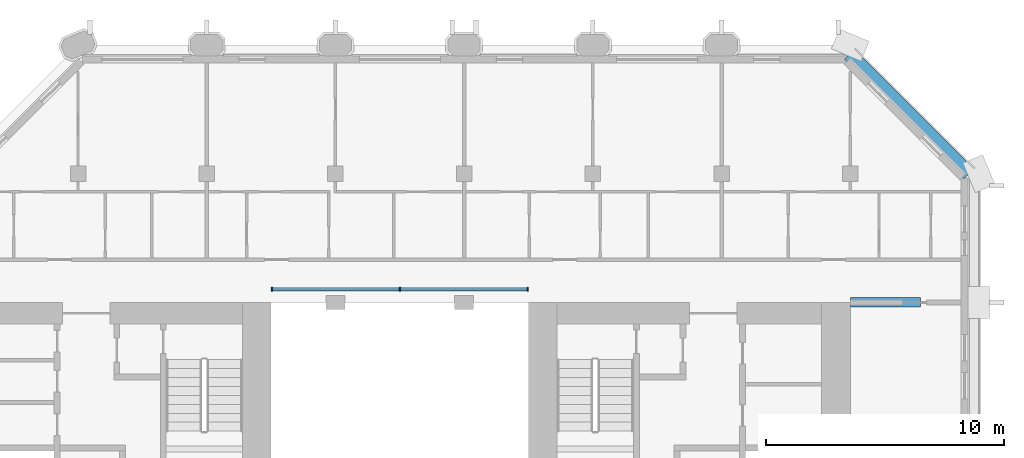
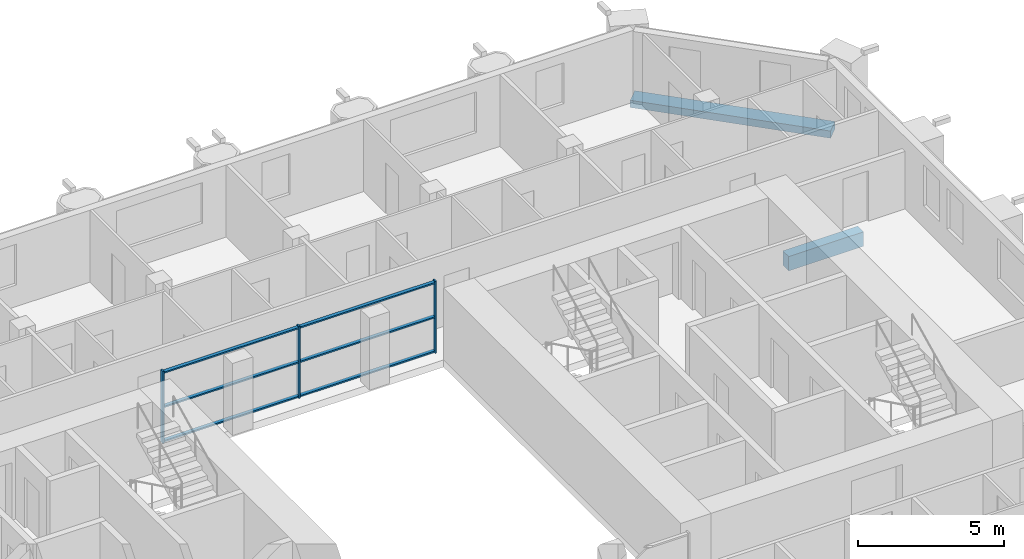
# One storey, part 4 of 14: 9 members, 2 beams, 1 element without a shape of its own.
"""IFC4 building model written with IfcOpenShell, lengths in metres."""

from ifc_helpers import new_model, si_unit, direction, frame, origin, origin_2d, place, context, subcontext, project, spatial, rectangle, extrude, material, material_profile, profile_set, type_object, element, aggregate, save


model = new_model("IFC4")

# Units and contexts
model_context = context("Model", 3, precision=1e-05, world=origin(), true_north=direction((0.0, 1.0)))
body_context = subcontext(model_context, "Body", "Model", "MODEL_VIEW")
ifc_project = project(units=[si_unit("LENGTHUNIT", "METRE"), si_unit("AREAUNIT", "SQUARE_METRE"), si_unit("VOLUMEUNIT", "CUBIC_METRE"), si_unit("PLANEANGLEUNIT", "RADIAN"), si_unit("MASSUNIT", "GRAM", prefix="KILO")], contexts=[model_context])

# Site, building, storey
site_placement = place(None, origin())
site = spatial("IfcSite", under=ifc_project, at=site_placement, CompositionType="ELEMENT")
building_placement = place(site_placement, origin())
building = spatial("IfcBuilding", under=site, at=building_placement, Name="Tabaq Tower and Sports Hall", CompositionType="ELEMENT")
storey_placement = place(building_placement, frame((0.0, 0.0, 275.199951171875)))
storey = spatial("IfcBuildingStorey", under=building, at=storey_placement, Name="L67", CompositionType="ELEMENT", Elevation=275.199951171875)

# Curtain wall, members
ifc_material_1 = material(Name="Aluminium alloy 6063-T6 framed glazing", Category="aluminium")
curtain_wall_type = type_object("IfcCurtainWallType", Name="CW1 curtain wall", PredefinedType="USERDEFINED", material=ifc_material_1)
curtain_wall_placement = place(storey_placement, origin())
curtain_wall = element("IfcCurtainWall", 1, at=curtain_wall_placement, inside=storey, type_object=curtain_wall_type, Name="Atrium glazing L67 N", ObjectType="ATRIUM ENCLOSURE", PredefinedType="USERDEFINED")
ifc_material_2 = material(Name="Aluminium alloy 6063-T6", Category="aluminium")
ifc_material_profile_1 = material_profile(ifc_material_2, rectangle(XDim=0.159912109375, YDim=0.06005859375, at=origin_2d()), Name="MULLION 160x60")
ifc_profile_set_1 = profile_set([ifc_material_profile_1], Name="Aluminium alloy 6063-T6")
member_type_1 = type_object("IfcMemberType", Name="CW1 mullion 160x60", PredefinedType="MULLION", material=ifc_profile_set_1)
member_1_placement = place(storey_placement, frame((18.929931640625, 32.949951171875, 0.0), z_axis=(0.0, 0.0, 1.0), x_axis=(0.0, 1.0, 0.0)))
member_1 = element("IfcMember", 2, at=member_1_placement, type_object=member_type_1, Name="CW1 mullion 1", PredefinedType="MULLION", context=body_context, shape_type="SweptSolid", body=[
    extrude(rectangle(XDim=0.159912109375, YDim=0.06005859375, at=origin_2d()), origin(), (0.0, 0.0, 1.0), 3.0),
])
member_2_placement = place(storey_placement, frame((24.300048828125, 32.949951171875, 0.0), z_axis=(0.0, 0.0, 1.0), x_axis=(0.0, 1.0, 0.0)))
member_2 = element("IfcMember", 3, at=member_2_placement, type_object=member_type_1, Name="CW1 mullion 2", PredefinedType="MULLION", context=body_context, shape_type="SweptSolid", body=[
    extrude(rectangle(XDim=0.159912109375, YDim=0.06005859375, at=origin_2d()), origin(), (0.0, 0.0, 1.0), 3.0),
])
member_3_placement = place(storey_placement, frame((29.669921875, 32.949951171875, 0.0), z_axis=(0.0, 0.0, 1.0), x_axis=(0.0, 1.0, 0.0)))
member_3 = element("IfcMember", 4, at=member_3_placement, type_object=member_type_1, Name="CW1 mullion 3", PredefinedType="MULLION", context=body_context, shape_type="SweptSolid", body=[
    extrude(rectangle(XDim=0.159912109375, YDim=0.06005859375, at=origin_2d()), origin(), (0.0, 0.0, 1.0), 3.0),
])
ifc_material_3 = material(Name="Aluminium alloy 6063-T6", Category="aluminium")
ifc_material_profile_2 = material_profile(ifc_material_3, rectangle(XDim=0.139892578125, YDim=0.06005859375, at=origin_2d()), Name="TRANSOM 140x60")
ifc_profile_set_2 = profile_set([ifc_material_profile_2], Name="Aluminium alloy 6063-T6")
member_type_2 = type_object("IfcMemberType", Name="CW1 transom 140x60", PredefinedType="USERDEFINED", material=ifc_profile_set_2)
member_4_placement = place(storey_placement, frame((18.9599609375, 32.949951171875, 0.070068359375), z_axis=(1.0, 0.0, 0.0), x_axis=(0.0, 1.0, 0.0)))
member_4 = element("IfcMember", 5, at=member_4_placement, type_object=member_type_2, Name="CW1 transom 1.1", ObjectType="TRANSOM", PredefinedType="USERDEFINED", context=body_context, shape_type="SweptSolid", body=[
    extrude(rectangle(XDim=0.139892578125, YDim=0.06005859375, at=origin_2d()), origin(), (0.0, 0.0, 1.0), 5.31005859375),
])
member_5_placement = place(storey_placement, frame((18.9599609375, 32.949951171875, 1.5), z_axis=(1.0, 0.0, 0.0), x_axis=(0.0, 1.0, 0.0)))
member_5 = element("IfcMember", 6, at=member_5_placement, type_object=member_type_2, Name="CW1 transom 1.2", ObjectType="TRANSOM", PredefinedType="USERDEFINED", context=body_context, shape_type="SweptSolid", body=[
    extrude(rectangle(XDim=0.139892578125, YDim=0.06005859375, at=origin_2d()), origin(), (0.0, 0.0, 1.0), 5.31005859375),
])
member_6_placement = place(storey_placement, frame((18.9599609375, 32.949951171875, 2.929931640625), z_axis=(1.0, 0.0, 0.0), x_axis=(0.0, 1.0, 0.0)))
member_6 = element("IfcMember", 7, at=member_6_placement, type_object=member_type_2, Name="CW1 transom 1.3", ObjectType="TRANSOM", PredefinedType="USERDEFINED", context=body_context, shape_type="SweptSolid", body=[
    extrude(rectangle(XDim=0.139892578125, YDim=0.06005859375, at=origin_2d()), origin(), (0.0, 0.0, 1.0), 5.31005859375),
])
member_7_placement = place(storey_placement, frame((24.330078125, 32.949951171875, 0.070068359375), z_axis=(1.0, 0.0, 0.0), x_axis=(0.0, 1.0, 0.0)))
member_7 = element("IfcMember", 8, at=member_7_placement, type_object=member_type_2, Name="CW1 transom 2.1", ObjectType="TRANSOM", PredefinedType="USERDEFINED", context=body_context, shape_type="SweptSolid", body=[
    extrude(rectangle(XDim=0.139892578125, YDim=0.06005859375, at=origin_2d()), origin(), (0.0, 0.0, 1.0), 5.309814453125),
])
member_8_placement = place(storey_placement, frame((24.330078125, 32.949951171875, 1.5), z_axis=(1.0, 0.0, 0.0), x_axis=(0.0, 1.0, 0.0)))
member_8 = element("IfcMember", 9, at=member_8_placement, type_object=member_type_2, Name="CW1 transom 2.2", ObjectType="TRANSOM", PredefinedType="USERDEFINED", context=body_context, shape_type="SweptSolid", body=[
    extrude(rectangle(XDim=0.139892578125, YDim=0.06005859375, at=origin_2d()), origin(), (0.0, 0.0, 1.0), 5.309814453125),
])
member_9_placement = place(storey_placement, frame((24.330078125, 32.949951171875, 2.929931640625), z_axis=(1.0, 0.0, 0.0), x_axis=(0.0, 1.0, 0.0)))
member_9 = element("IfcMember", 10, at=member_9_placement, type_object=member_type_2, Name="CW1 transom 2.3", ObjectType="TRANSOM", PredefinedType="USERDEFINED", context=body_context, shape_type="SweptSolid", body=[
    extrude(rectangle(XDim=0.139892578125, YDim=0.06005859375, at=origin_2d()), origin(), (0.0, 0.0, 1.0), 5.309814453125),
])
aggregate(curtain_wall, [member_1, member_2, member_3, member_4, member_5, member_6, member_7, member_8, member_9])

# Beams
ifc_material_4 = material(Name="Concrete C40/50", Category="concrete")
ifc_material_profile_3 = material_profile(ifc_material_4, rectangle(XDim=0.39990234375, YDim=0.60009765625, at=origin_2d()), Name="CB 400x600")
ifc_profile_set_3 = profile_set([ifc_material_profile_3], Name="Concrete C40/50")
beam_type_1 = type_object("IfcBeamType", Name="PT CANTILEVER BEAM CB 400x600 C40/50", PredefinedType="BEAM", material=ifc_profile_set_3)
beam_1_placement = place(storey_placement, frame((46.14990234375, 32.39990234375, -0.599853515625), z_axis=(-1.0, 0.0, 0.0), x_axis=(0.0, -1.0, 0.0)))
element("IfcBeam", 11, at=beam_1_placement, inside=storey, type_object=beam_type_1, Name="Cantilever Beam L67 E6 span 1", PredefinedType="BEAM", context=body_context, shape_type="SweptSolid", body=[
    extrude(rectangle(XDim=0.39990234375, YDim=0.60009765625, at=origin_2d()), origin(), (0.0, 0.0, 1.0), 2.949951171875),
])
ifc_material_5 = material(Name="Concrete C40/50", Category="concrete")
ifc_material_profile_4 = material_profile(ifc_material_5, rectangle(XDim=0.60009765625, YDim=0.300048828125, at=origin_2d()), Name="EB 600x300")
ifc_profile_set_4 = profile_set([ifc_material_profile_4], Name="Concrete C40/50")
beam_type_2 = type_object("IfcBeamType", Name="PT EDGE BEAM EB 600x300 C40/50", PredefinedType="SPANDREL", material=ifc_profile_set_4)
beam_2_placement = place(storey_placement, frame((48.1767578125, 37.799072265625, -0.14990234375), z_axis=(-0.707124002701, 0.707089559252, 0.0), x_axis=(-0.707089559252, -0.707124002701, 0.0)))
element("IfcBeam", 12, at=beam_2_placement, inside=storey, type_object=beam_type_2, Name="Edge Beam L67 4", PredefinedType="SPANDREL", context=body_context, shape_type="SweptSolid", body=[
    extrude(rectangle(XDim=0.60009765625, YDim=0.300048828125, at=origin_2d()), origin(), (0.0, 0.0, 1.0), 7.088134765625),
])

save(model, "model.ifc")
